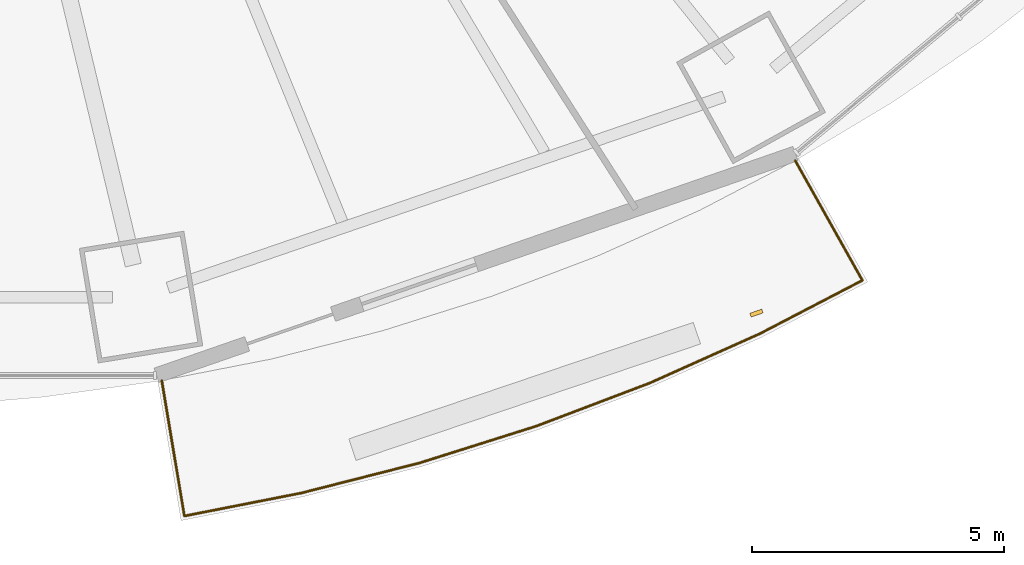
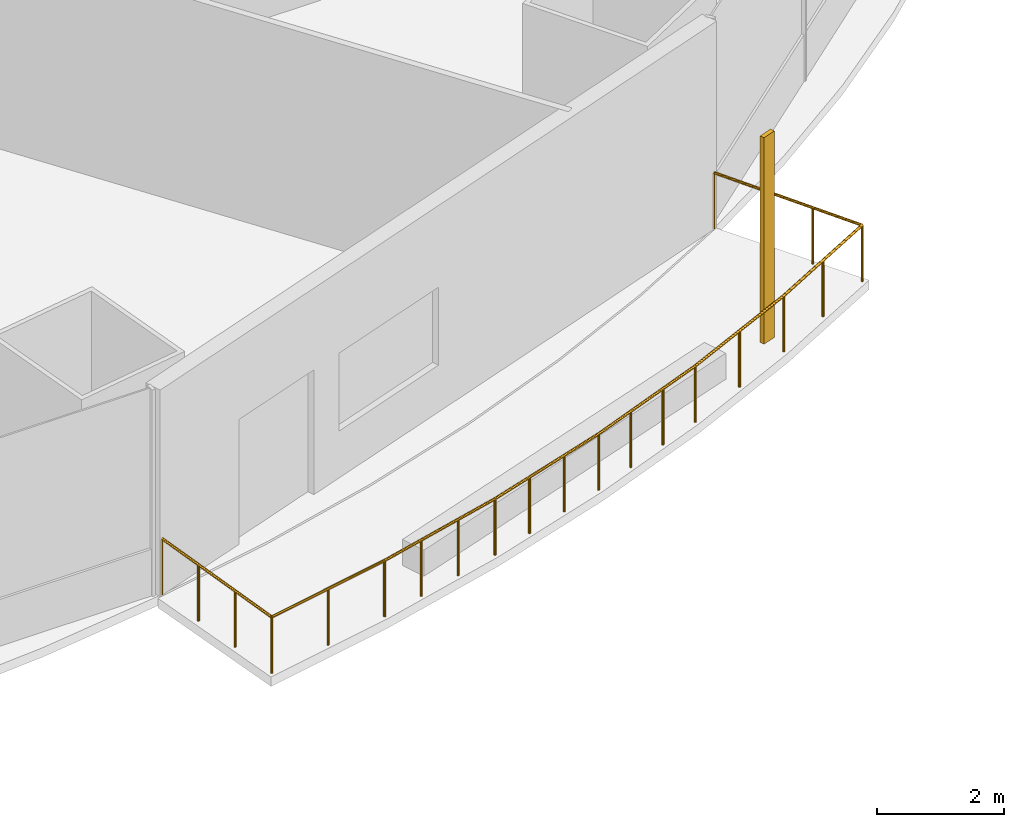
# One storey, part 18 of 22: 1 railing, 1 shading device.
"""IFC4 building model written with IfcOpenShell, lengths in metres."""

from ifc_helpers import new_model, si_unit, direction, frame, origin, origin_2d, place, context, subcontext, project, spatial, rectangle, circle, extrude, material, material_profile, profile_set, type_object, element, save


model = new_model("IFC4")

# Units and contexts
model_context = context("Model", 3, precision=1e-05, world=origin(), true_north=direction((0.0, 1.0)))
body_context = subcontext(model_context, "Body", "Model", "MODEL_VIEW")
ifc_project = project(units=[si_unit("LENGTHUNIT", "METRE"), si_unit("AREAUNIT", "SQUARE_METRE"), si_unit("VOLUMEUNIT", "CUBIC_METRE"), si_unit("PLANEANGLEUNIT", "RADIAN"), si_unit("MASSUNIT", "GRAM", prefix="KILO")], contexts=[model_context])

# Site, building, storey
site_placement = place(None, origin())
site = spatial("IfcSite", under=ifc_project, at=site_placement, CompositionType="ELEMENT")
building_placement = place(site_placement, origin())
building = spatial("IfcBuilding", under=site, at=building_placement, Name="Marenthal Gate Tower", CompositionType="ELEMENT")
storey_placement = place(building_placement, frame((0.0, 0.0, 82.800048828125)))
storey = spatial("IfcBuildingStorey", under=building, at=storey_placement, Name="L16", CompositionType="ELEMENT", Elevation=82.800048828125)

# Railing
ifc_material_1 = material(Name="Stainless steel", Category="steel")
railing_type = type_object("IfcRailingType", Name="Balcony guard 1100", PredefinedType="GUARDRAIL", material=ifc_material_1)
railing_placement = place(storey_placement, frame((19.50341796875, -24.59912109375, 0.0)))
element("IfcRailing", 1, at=railing_placement, inside=storey, type_object=railing_type, Name="Balcony guard L16 bay 13", PredefinedType="GUARDRAIL", context=body_context, shape_type="SweptSolid", body=[
    extrude(circle(Radius=0.02392578125, at=origin_2d()), frame((0.0, 0.0, 1.076171875), z_axis=(0.489023148101, -0.872146623829, -0.01471825955), x_axis=(0.872241104505, 0.489076124557, 0.0)), (0.0, 0.0, 1.0), 2.720458984375),
    extrude(circle(Radius=0.02392578125, at=origin_2d()), frame((1.330322265625, -2.37255859375, 1.0361328125), z_axis=(-0.887216801235, -0.461352736642, 0.0), x_axis=(0.461352736642, -0.887216801235, 0.0)), (0.0, 0.0, 1.0), 2.290771484375),
    extrude(circle(Radius=0.02392578125, at=origin_2d()), frame((-0.7021484375, -3.429443359375, 1.0361328125), z_axis=(-0.912542222384, -0.408982508631, 0.0), x_axis=(0.408982508631, -0.912542222384, 0.0)), (0.0, 0.0, 1.0), 2.3876953125),
    extrude(circle(Radius=0.02392578125, at=origin_2d()), frame((-2.881103515625, -4.406005859375, 1.0361328125), z_axis=(-0.934801116304, -0.355171610573, 0.0), x_axis=(0.355171610573, -0.934801116304, 0.0)), (0.0, 0.0, 1.0), 2.40380859375),
    extrude(circle(Radius=0.02392578125, at=origin_2d()), frame((-5.128173828125, -5.259765625, 1.0361328125), z_axis=(-0.953649791478, -0.300918718616, 0.0), x_axis=(0.300918718616, -0.953649791478, 0.0)), (0.0, 0.0, 1.0), 2.417724609375),
    extrude(circle(Radius=0.02392578125, at=origin_2d()), frame((-7.433837890625, -5.9873046875, 1.0361328125), z_axis=(-0.969141273658, -0.246505966848, 0.0), x_axis=(0.246505966848, -0.969141273658, 0.0)), (0.0, 0.0, 1.0), 2.429443359375),
    extrude(circle(Radius=0.02392578125, at=origin_2d()), frame((-9.788330078125, -6.586181640625, 1.0361328125), z_axis=(-0.981243578155, -0.19277199052, 0.0), x_axis=(0.19277199052, -0.981243578155, 0.0)), (0.0, 0.0, 1.0), 2.359375),
    extrude(circle(Radius=0.02392578125, at=origin_2d()), frame((-12.103515625, -7.041015625, 1.0361328125), z_axis=(-0.164599482451, 0.986250661205, 0.014718819587), x_axis=(-0.986357511038, -0.164617315064, 0.0)), (0.0, 0.0, 1.0), 2.72021484375),
    extrude(circle(Radius=0.02099609375, at=origin_2d()), origin(), (0.0, 0.0, 1.0), 1.052001953125),
    extrude(circle(Radius=0.02099609375, at=origin_2d()), frame((0.443359375, -0.790771484375, -0.013427734375)), (0.0, 0.0, 1.0), 1.052001953125),
    extrude(circle(Radius=0.02099609375, at=origin_2d()), frame((0.886962890625, -1.581787109375, -0.026611328125)), (0.0, 0.0, 1.0), 1.052001953125),
    extrude(circle(Radius=0.02099609375, at=origin_2d()), frame((1.330322265625, -2.37255859375, -0.0400390625)), (0.0, 0.0, 1.0), 1.052001953125),
    extrude(circle(Radius=0.02099609375, at=origin_2d()), frame((0.31396484375, -2.90087890625, -0.0400390625)), (0.0, 0.0, 1.0), 1.052001953125),
    extrude(circle(Radius=0.02099609375, at=origin_2d()), frame((-0.7021484375, -3.429443359375, -0.0400390625)), (0.0, 0.0, 1.0), 1.052001953125),
    extrude(circle(Radius=0.02099609375, at=origin_2d()), frame((-1.79150390625, -3.917724609375, -0.0400390625)), (0.0, 0.0, 1.0), 1.052001953125),
    extrude(circle(Radius=0.02099609375, at=origin_2d()), frame((-2.881103515625, -4.406005859375, -0.0400390625)), (0.0, 0.0, 1.0), 1.052001953125),
    extrude(circle(Radius=0.02099609375, at=origin_2d()), frame((-3.630126953125, -4.690673828125, -0.0400390625)), (0.0, 0.0, 1.0), 1.052001953125),
    extrude(circle(Radius=0.02099609375, at=origin_2d()), frame((-4.379150390625, -4.97509765625, -0.0400390625)), (0.0, 0.0, 1.0), 1.052001953125),
    extrude(circle(Radius=0.02099609375, at=origin_2d()), frame((-5.128173828125, -5.259765625, -0.0400390625)), (0.0, 0.0, 1.0), 1.052001953125),
    extrude(circle(Radius=0.02099609375, at=origin_2d()), frame((-5.896728515625, -5.502197265625, -0.0400390625)), (0.0, 0.0, 1.0), 1.052001953125),
    extrude(circle(Radius=0.02099609375, at=origin_2d()), frame((-6.665283203125, -5.744873046875, -0.0400390625)), (0.0, 0.0, 1.0), 1.052001953125),
    extrude(circle(Radius=0.02099609375, at=origin_2d()), frame((-7.433837890625, -5.9873046875, -0.0400390625)), (0.0, 0.0, 1.0), 1.052001953125),
    extrude(circle(Radius=0.02099609375, at=origin_2d()), frame((-8.21875, -6.18701171875, -0.0400390625)), (0.0, 0.0, 1.0), 1.052001953125),
    extrude(circle(Radius=0.02099609375, at=origin_2d()), frame((-9.00341796875, -6.386474609375, -0.0400390625)), (0.0, 0.0, 1.0), 1.052001953125),
    extrude(circle(Radius=0.02099609375, at=origin_2d()), frame((-9.788330078125, -6.586181640625, -0.0400390625)), (0.0, 0.0, 1.0), 1.052001953125),
    extrude(circle(Radius=0.02099609375, at=origin_2d()), frame((-10.94580078125, -6.8134765625, -0.0400390625)), (0.0, 0.0, 1.0), 1.052001953125),
    extrude(circle(Radius=0.02099609375, at=origin_2d()), frame((-12.103515625, -7.041015625, -0.0400390625)), (0.0, 0.0, 1.0), 1.052001953125),
    extrude(circle(Radius=0.02099609375, at=origin_2d()), frame((-12.252685546875, -6.146728515625, -0.026611328125)), (0.0, 0.0, 1.0), 1.052001953125),
    extrude(circle(Radius=0.02099609375, at=origin_2d()), frame((-12.402099609375, -5.25244140625, -0.013427734375)), (0.0, 0.0, 1.0), 1.052001953125),
    extrude(circle(Radius=0.02099609375, at=origin_2d()), frame((-12.55126953125, -4.358154296875, 0.0)), (0.0, 0.0, 1.0), 1.052001953125),
])

# Shading device
ifc_material_2 = material(Name="Terracotta", Category="masonry")
ifc_material_profile = material_profile(ifc_material_2, rectangle(XDim=0.25, YDim=0.080078125, at=origin_2d()), Name="Terracotta baguette 250x80")
ifc_profile_set = profile_set([ifc_material_profile], Name="Terracotta")
shading_device_type = type_object("IfcShadingDeviceType", Name="Terracotta BAGUETTE SCREEN 250x80", PredefinedType="USERDEFINED", material=ifc_profile_set)
shading_device_placement = place(storey_placement, frame((18.7353515625, -27.6201171875, -0.0400390625), z_axis=(0.0, 0.0, 1.0), x_axis=(0.944634232614, 0.328125230017, 0.0)))
element("IfcShadingDevice", 2, at=shading_device_placement, inside=storey, type_object=shading_device_type, Name="Terracotta BAGUETTE L16 bay 13R", ObjectType="BAGUETTE SCREEN", PredefinedType="USERDEFINED", context=body_context, shape_type="SweptSolid", body=[
    extrude(rectangle(XDim=0.25, YDim=0.080078125, at=origin_2d()), origin(), (0.0, 0.0, 1.0), 3.969970703125),
])

save(model, "model.ifc")
